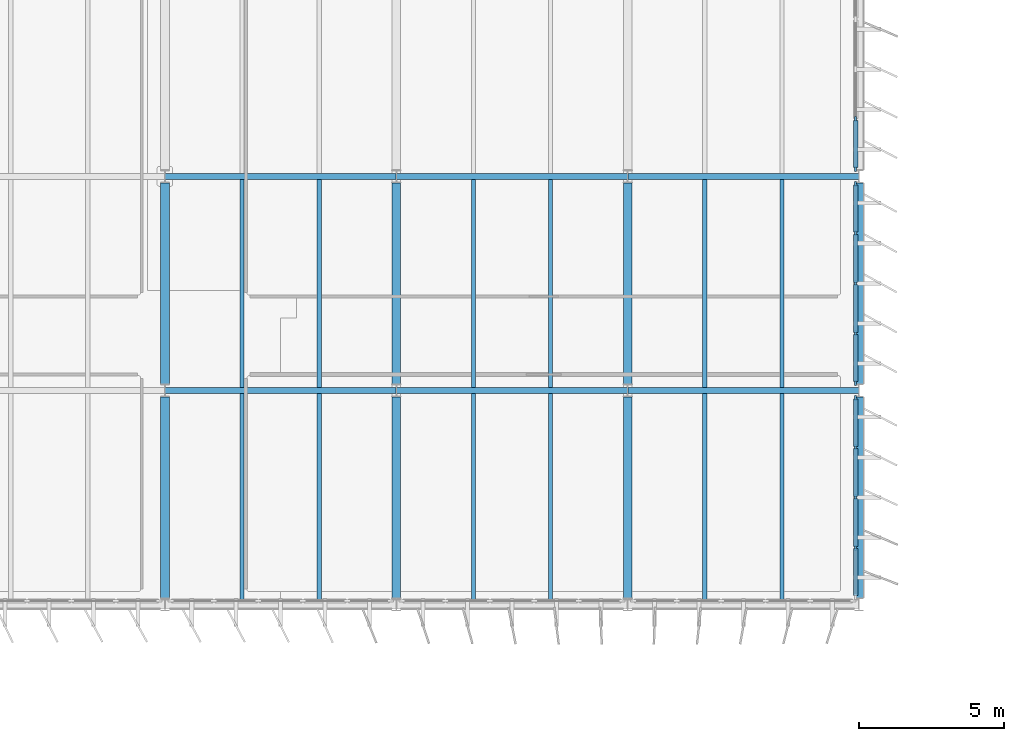
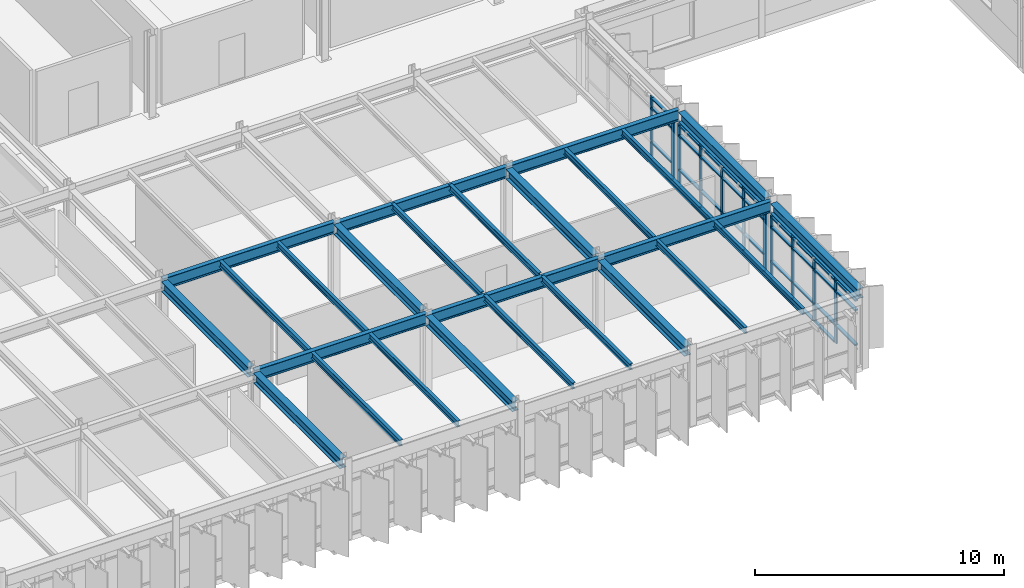
# One storey, part 22 of 56: 46 members, 26 beams, 3 elements without a shape of their own.
"""IFC4 building model written with IfcOpenShell, lengths in metres."""

from ifc_helpers import new_model, si_unit, direction, frame, origin, origin_2d, place, context, subcontext, project, spatial, rectangle, i_section, extrude, material, layer, layer_set, material_profile, profile_set, type_object, element, aggregate, save


model = new_model("IFC4")

# Units and contexts
model_context = context("Model", 3, precision=1e-05, world=origin(), true_north=direction((0.0, 1.0)))
body_context = subcontext(model_context, "Body", "Model", "MODEL_VIEW")
ifc_project = project(units=[si_unit("LENGTHUNIT", "METRE"), si_unit("AREAUNIT", "SQUARE_METRE"), si_unit("VOLUMEUNIT", "CUBIC_METRE"), si_unit("PLANEANGLEUNIT", "RADIAN"), si_unit("MASSUNIT", "GRAM", prefix="KILO")], contexts=[model_context])

# Site, building, storey
site_placement = place(None, origin())
site = spatial("IfcSite", under=ifc_project, at=site_placement, CompositionType="ELEMENT")
building_placement = place(site_placement, origin())
building = spatial("IfcBuilding", under=site, at=building_placement, Name="Valkorina Park Police Headquarters", CompositionType="ELEMENT")
storey_placement = place(building_placement, frame((0.0, 0.0, 14.10009765625)))
storey = spatial("IfcBuildingStorey", under=building, at=storey_placement, Name="L04", CompositionType="ELEMENT", Elevation=14.10009765625)

# Beams
ifc_material_1 = material(Name="Steel S355", Category="steel")
ifc_material_profile_1 = material_profile(ifc_material_1, i_section(OverallWidth=0.300048828125, OverallDepth=0.489990234375, WebThickness=0.011962890625, FlangeThickness=0.02294921875, FilletRadius=0.027099609375, at=origin_2d()), Name="HEA 500")
ifc_profile_set_1 = profile_set([ifc_material_profile_1], Name="Steel S355")
beam_type_1 = type_object("IfcBeamType", Name="BM-S355-HEA500-BM", PredefinedType="BEAM", material=ifc_profile_set_1)
for number, where, z_axis, x_axis, name in (
    (1, (96.800048828125, 37.22509765625, 3.510009765625), (0.0, 1.0, 0.0), (-1.0, 0.0, 0.0), "L04 Framing Beam 2362"),
    (2, (96.800048828125, 44.625, 3.510009765625), (0.0, 1.0, 0.0), (-1.0, 0.0, 0.0), "L04 Framing Beam 2365"),
    (3, (104.800048828125, 37.22509765625, 3.510009765625), (0.0, 1.0, 0.0), (-1.0, 0.0, 0.0), "L04 Framing Beam 2374"),
    (4, (104.800048828125, 44.625, 3.510009765625), (0.0, 1.0, 0.0), (-1.0, 0.0, 0.0), "L04 Framing Beam 2377"),
    (5, (112.800048828125, 37.22509765625, 3.4248046875), (0.0, 1.0, 0.0), (-1.0, 0.0, 0.0), "L04 Framing Beam 2383"),
    (6, (112.800048828125, 44.625, 3.4248046875), (0.0, 1.0, 0.0), (-1.0, 0.0, 0.0), "L04 Framing Beam 2386"),
):
    element("IfcBeam", number, at=place(storey_placement, frame(where, z_axis=z_axis, x_axis=x_axis)), inside=storey, type_object=beam_type_1, Name=name, PredefinedType="BEAM", context=body_context, shape_type="SweptSolid", body=[
        extrude(i_section(OverallWidth=0.300048828125, OverallDepth=0.489990234375, WebThickness=0.011962890625, FlangeThickness=0.02294921875, FilletRadius=0.027099609375, at=origin_2d()), origin(), (0.0, 0.0, 1.0), 6.949951171875),
    ])
ifc_material_profile_2 = material_profile(ifc_material_1, i_section(OverallWidth=0.300048828125, OverallDepth=0.489990234375, WebThickness=0.011962890625, FlangeThickness=0.02294921875, FilletRadius=0.027099609375, at=origin_2d()), Name="HEA 500")
ifc_profile_set_2 = profile_set([ifc_material_profile_2], Name="Steel S355")
beam_type_2 = type_object("IfcBeamType", Name="BM-S355-HEA500-SPN", PredefinedType="SPANDREL", material=ifc_profile_set_2)
for number, where, z_axis, x_axis, name in (
    (7, (120.800048828125, 37.22509765625, 3.4248046875), (0.0, 1.0, 0.0), (-1.0, 0.0, 0.0), "L04 Framing Beam 2392"),
    (8, (120.800048828125, 44.625, 3.4248046875), (0.0, 1.0, 0.0), (-1.0, 0.0, 0.0), "L04 Framing Beam 2393"),
):
    element("IfcBeam", number, at=place(storey_placement, frame(where, z_axis=z_axis, x_axis=x_axis)), inside=storey, type_object=beam_type_2, Name=name, PredefinedType="SPANDREL", context=body_context, shape_type="SweptSolid", body=[
        extrude(i_section(OverallWidth=0.300048828125, OverallDepth=0.489990234375, WebThickness=0.011962890625, FlangeThickness=0.02294921875, FilletRadius=0.027099609375, at=origin_2d()), origin(), (0.0, 0.0, 1.0), 6.949951171875),
    ])
ifc_material_profile_3 = material_profile(ifc_material_1, i_section(OverallWidth=0.14990234375, OverallDepth=0.300048828125, WebThickness=0.007080078125, FlangeThickness=0.0107421875, FilletRadius=0.014892578125, at=origin_2d()), Name="IPE 300")
ifc_profile_set_3 = profile_set([ifc_material_profile_3], Name="Steel S355")
beam_type_3 = type_object("IfcBeamType", Name="BM-S355-IPE300-JST", PredefinedType="JOIST", material=ifc_profile_set_3)
for number, where, z_axis, x_axis, name in (
    (9, (99.466796875, 37.14990234375, 3.60498046875), (0.0, 1.0, 0.0), (-1.0, 0.0, 0.0), "L04 Framing Beam 2363"),
    (10, (102.13330078125, 37.14990234375, 3.60498046875), (0.0, 1.0, 0.0), (-1.0, 0.0, 0.0), "L04 Framing Beam 2364"),
):
    element("IfcBeam", number, at=place(storey_placement, frame(where, z_axis=z_axis, x_axis=x_axis)), inside=storey, type_object=beam_type_3, Name=name, PredefinedType="JOIST", context=body_context, shape_type="SweptSolid", body=[
        extrude(i_section(OverallWidth=0.14990234375, OverallDepth=0.300048828125, WebThickness=0.007080078125, FlangeThickness=0.0107421875, FilletRadius=0.014892578125, at=origin_2d()), origin(), (0.0, 0.0, 1.0), 7.14501953125),
    ])
for number, where, z_axis, x_axis, name in (
    (11, (99.466796875, 44.5048828125, 3.60498046875), (0.0, 1.0, 0.0), (-1.0, 0.0, 0.0), "L04 Framing Beam 2366"),
    (12, (102.13330078125, 44.5048828125, 3.60498046875), (0.0, 1.0, 0.0), (-1.0, 0.0, 0.0), "L04 Framing Beam 2367"),
):
    element("IfcBeam", number, at=place(storey_placement, frame(where, z_axis=z_axis, x_axis=x_axis)), inside=storey, type_object=beam_type_3, Name=name, PredefinedType="JOIST", context=body_context, shape_type="SweptSolid", body=[
        extrude(i_section(OverallWidth=0.14990234375, OverallDepth=0.300048828125, WebThickness=0.007080078125, FlangeThickness=0.0107421875, FilletRadius=0.014892578125, at=origin_2d()), origin(), (0.0, 0.0, 1.0), 7.190185546875),
    ])
for number, where, z_axis, x_axis, name in (
    (13, (107.466796875, 37.14990234375, 3.60498046875), (0.0, 1.0, 0.0), (-1.0, 0.0, 0.0), "L04 Framing Beam 2375"),
    (14, (110.13330078125, 37.14990234375, 3.60498046875), (0.0, 1.0, 0.0), (-1.0, 0.0, 0.0), "L04 Framing Beam 2376"),
):
    element("IfcBeam", number, at=place(storey_placement, frame(where, z_axis=z_axis, x_axis=x_axis)), inside=storey, type_object=beam_type_3, Name=name, PredefinedType="JOIST", context=body_context, shape_type="SweptSolid", body=[
        extrude(i_section(OverallWidth=0.14990234375, OverallDepth=0.300048828125, WebThickness=0.007080078125, FlangeThickness=0.0107421875, FilletRadius=0.014892578125, at=origin_2d()), origin(), (0.0, 0.0, 1.0), 7.14501953125),
    ])
for number, where, z_axis, x_axis, name in (
    (15, (107.466796875, 44.5048828125, 3.60498046875), (0.0, 1.0, 0.0), (-1.0, 0.0, 0.0), "L04 Framing Beam 2378"),
    (16, (110.13330078125, 44.5048828125, 3.60498046875), (0.0, 1.0, 0.0), (-1.0, 0.0, 0.0), "L04 Framing Beam 2379"),
):
    element("IfcBeam", number, at=place(storey_placement, frame(where, z_axis=z_axis, x_axis=x_axis)), inside=storey, type_object=beam_type_3, Name=name, PredefinedType="JOIST", context=body_context, shape_type="SweptSolid", body=[
        extrude(i_section(OverallWidth=0.14990234375, OverallDepth=0.300048828125, WebThickness=0.007080078125, FlangeThickness=0.0107421875, FilletRadius=0.014892578125, at=origin_2d()), origin(), (0.0, 0.0, 1.0), 7.190185546875),
    ])
for number, where, z_axis, x_axis, name in (
    (17, (115.466796875, 37.14990234375, 3.52001953125), (0.0, 1.0, 0.0), (-1.0, 0.0, 0.0), "L04 Framing Beam 2384"),
    (18, (118.13330078125, 37.14990234375, 3.52001953125), (0.0, 1.0, 0.0), (-1.0, 0.0, 0.0), "L04 Framing Beam 2385"),
):
    element("IfcBeam", number, at=place(storey_placement, frame(where, z_axis=z_axis, x_axis=x_axis)), inside=storey, type_object=beam_type_3, Name=name, PredefinedType="JOIST", context=body_context, shape_type="SweptSolid", body=[
        extrude(i_section(OverallWidth=0.14990234375, OverallDepth=0.300048828125, WebThickness=0.007080078125, FlangeThickness=0.0107421875, FilletRadius=0.014892578125, at=origin_2d()), origin(), (0.0, 0.0, 1.0), 7.14501953125),
    ])
for number, where, z_axis, x_axis, name in (
    (19, (115.466796875, 44.5048828125, 3.52001953125), (0.0, 1.0, 0.0), (-1.0, 0.0, 0.0), "L04 Framing Beam 2387"),
    (20, (118.13330078125, 44.5048828125, 3.52001953125), (0.0, 1.0, 0.0), (-1.0, 0.0, 0.0), "L04 Framing Beam 2388"),
):
    element("IfcBeam", number, at=place(storey_placement, frame(where, z_axis=z_axis, x_axis=x_axis)), inside=storey, type_object=beam_type_3, Name=name, PredefinedType="JOIST", context=body_context, shape_type="SweptSolid", body=[
        extrude(i_section(OverallWidth=0.14990234375, OverallDepth=0.300048828125, WebThickness=0.007080078125, FlangeThickness=0.0107421875, FilletRadius=0.014892578125, at=origin_2d()), origin(), (0.0, 0.0, 1.0), 7.190185546875),
    ])
ifc_material_profile_4 = material_profile(ifc_material_1, i_section(OverallWidth=0.2099609375, OverallDepth=0.550048828125, WebThickness=0.010986328125, FlangeThickness=0.01708984375, FilletRadius=0.02392578125, at=origin_2d()), Name="IPE 550")
ifc_profile_set_4 = profile_set([ifc_material_profile_4], Name="Steel S355")
beam_type_4 = type_object("IfcBeamType", Name="BM-S355-IPE550-BM", PredefinedType="BEAM", material=ifc_profile_set_4)
for number, where, z_axis, x_axis, name in (
    (21, (96.806884765625, 44.39990234375, 3.47998046875), (1.0, 0.0, 0.0), (0.0, 1.0, 0.0), "L04 Framing Beam 2235"),
    (22, (104.806884765625, 44.39990234375, 3.39501953125), (1.0, 0.0, 0.0), (0.0, 1.0, 0.0), "L04 Framing Beam 2236"),
    (23, (112.806884765625, 44.39990234375, 3.39501953125), (1.0, 0.0, 0.0), (0.0, 1.0, 0.0), "L04 Framing Beam 2237"),
    (24, (96.806884765625, 51.800048828125, 3.47998046875), (1.0, 0.0, 0.0), (0.0, 1.0, 0.0), "L04 Framing Beam 2243"),
    (25, (104.806884765625, 51.800048828125, 3.39501953125), (1.0, 0.0, 0.0), (0.0, 1.0, 0.0), "L04 Framing Beam 2244"),
    (26, (112.806884765625, 51.800048828125, 3.39501953125), (1.0, 0.0, 0.0), (0.0, 1.0, 0.0), "L04 Framing Beam 2245"),
):
    element("IfcBeam", number, at=place(storey_placement, frame(where, z_axis=z_axis, x_axis=x_axis)), inside=storey, type_object=beam_type_4, Name=name, PredefinedType="BEAM", context=body_context, shape_type="SweptSolid", body=[
        extrude(i_section(OverallWidth=0.2099609375, OverallDepth=0.550048828125, WebThickness=0.010986328125, FlangeThickness=0.01708984375, FilletRadius=0.02392578125, at=origin_2d()), origin(), (0.0, 0.0, 1.0), 7.986083984375),
    ])

# Curtain wall, members
ifc_material_2 = material(Name="Thermally broken aluminium AW-6060", Category="aluminium")
ifc_layer = layer(ifc_material_2, 0.18994140625)
ifc_layer_set = layer_set([ifc_layer], Name="Thermally broken aluminium AW-6060")
curtain_wall_type = type_object("IfcCurtainWallType", Name="CW-V5-6930x3110", PredefinedType="NOTDEFINED", material=ifc_layer_set)
curtain_wall_1_placement = place(storey_placement, origin())
curtain_wall_1 = element("IfcCurtainWall", 27, at=curtain_wall_1_placement, inside=storey, type_object=curtain_wall_type, Name="L04 Unitised Curtain Wall 040", PredefinedType="NOTDEFINED")
ifc_material_profile_5 = material_profile(ifc_material_2, rectangle(XDim=0.070068359375, YDim=0.18994140625, at=origin_2d()), Name="CWM-02 70x190")
ifc_profile_set_5 = profile_set([ifc_material_profile_5], Name="Thermally broken aluminium AW-6060")
member_type_1 = type_object("IfcMemberType", Name="CWM-70x190", PredefinedType="MULLION", material=ifc_profile_set_5)
member_1_placement = place(storey_placement, frame((120.679931640625, 53.767578125, 0.0), z_axis=(0.0, 0.0, 1.0), x_axis=(1.0, 0.0, 0.0)))
member_1 = element("IfcMember", 28, at=member_1_placement, type_object=member_type_1, Name="CW-V5-693-311 mullion 4", PredefinedType="MULLION", context=body_context, shape_type="SweptSolid", body=[
    extrude(rectangle(XDim=0.070068359375, YDim=0.18994140625, at=origin_2d()), origin(), (0.0, 0.0, 1.0), 3.10986328125),
])
member_2_placement = place(storey_placement, frame((120.679931640625, 52.070068359375, 0.0), z_axis=(0.0, 0.0, 1.0), x_axis=(1.0, 0.0, 0.0)))
member_2 = element("IfcMember", 29, at=member_2_placement, type_object=member_type_1, Name="CW-V5-693-311 mullion 5", PredefinedType="MULLION", context=body_context, shape_type="SweptSolid", body=[
    extrude(rectangle(XDim=0.070068359375, YDim=0.18994140625, at=origin_2d()), origin(), (0.0, 0.0, 1.0), 3.10986328125),
])

curtain_wall_2_placement = place(storey_placement, origin())
curtain_wall_2 = element("IfcCurtainWall", 30, at=curtain_wall_2_placement, inside=storey, type_object=curtain_wall_type, Name="L04 Unitised Curtain Wall 041", PredefinedType="NOTDEFINED")
member_3_placement = place(storey_placement, frame((120.679931640625, 51.530029296875, 0.0), z_axis=(0.0, 0.0, 1.0), x_axis=(1.0, 0.0, 0.0)))
member_3 = element("IfcMember", 31, at=member_3_placement, type_object=member_type_1, Name="CW-V5-693-311 mullion 1", PredefinedType="MULLION", context=body_context, shape_type="SweptSolid", body=[
    extrude(rectangle(XDim=0.070068359375, YDim=0.18994140625, at=origin_2d()), origin(), (0.0, 0.0, 1.0), 3.10986328125),
])
member_4_placement = place(storey_placement, frame((120.679931640625, 49.83251953125, 0.0), z_axis=(0.0, 0.0, 1.0), x_axis=(1.0, 0.0, 0.0)))
member_4 = element("IfcMember", 32, at=member_4_placement, type_object=member_type_1, Name="CW-V5-693-311 mullion 2", PredefinedType="MULLION", context=body_context, shape_type="SweptSolid", body=[
    extrude(rectangle(XDim=0.070068359375, YDim=0.18994140625, at=origin_2d()), origin(), (0.0, 0.0, 1.0), 3.10986328125),
])
member_5_placement = place(storey_placement, frame((120.679931640625, 48.10009765625, 0.0), z_axis=(0.0, 0.0, 1.0), x_axis=(1.0, 0.0, 0.0)))
member_5 = element("IfcMember", 33, at=member_5_placement, type_object=member_type_1, Name="CW-V5-693-311 mullion 3", PredefinedType="MULLION", context=body_context, shape_type="SweptSolid", body=[
    extrude(rectangle(XDim=0.070068359375, YDim=0.18994140625, at=origin_2d()), origin(), (0.0, 0.0, 1.0), 3.10986328125),
])
member_6_placement = place(storey_placement, frame((120.679931640625, 46.367431640625, 0.0), z_axis=(0.0, 0.0, 1.0), x_axis=(1.0, 0.0, 0.0)))
member_6 = element("IfcMember", 34, at=member_6_placement, type_object=member_type_1, Name="CW-V5-693-311 mullion 4", PredefinedType="MULLION", context=body_context, shape_type="SweptSolid", body=[
    extrude(rectangle(XDim=0.070068359375, YDim=0.18994140625, at=origin_2d()), origin(), (0.0, 0.0, 1.0), 3.10986328125),
])
member_7_placement = place(storey_placement, frame((120.679931640625, 44.669921875, 0.0), z_axis=(0.0, 0.0, 1.0), x_axis=(1.0, 0.0, 0.0)))
member_7 = element("IfcMember", 35, at=member_7_placement, type_object=member_type_1, Name="CW-V5-693-311 mullion 5", PredefinedType="MULLION", context=body_context, shape_type="SweptSolid", body=[
    extrude(rectangle(XDim=0.070068359375, YDim=0.18994140625, at=origin_2d()), origin(), (0.0, 0.0, 1.0), 3.10986328125),
])

curtain_wall_3_placement = place(storey_placement, origin())
curtain_wall_3 = element("IfcCurtainWall", 36, at=curtain_wall_3_placement, inside=storey, type_object=curtain_wall_type, Name="L04 Unitised Curtain Wall 042", PredefinedType="NOTDEFINED")
member_8_placement = place(storey_placement, frame((120.679931640625, 44.1298828125, 0.0), z_axis=(0.0, 0.0, 1.0), x_axis=(1.0, 0.0, 0.0)))
member_8 = element("IfcMember", 37, at=member_8_placement, type_object=member_type_1, Name="CW-V5-693-311 mullion 1", PredefinedType="MULLION", context=body_context, shape_type="SweptSolid", body=[
    extrude(rectangle(XDim=0.070068359375, YDim=0.18994140625, at=origin_2d()), origin(), (0.0, 0.0, 1.0), 3.10986328125),
])
member_9_placement = place(storey_placement, frame((120.679931640625, 42.4326171875, 0.0), z_axis=(0.0, 0.0, 1.0), x_axis=(1.0, 0.0, 0.0)))
member_9 = element("IfcMember", 38, at=member_9_placement, type_object=member_type_1, Name="CW-V5-693-311 mullion 2", PredefinedType="MULLION", context=body_context, shape_type="SweptSolid", body=[
    extrude(rectangle(XDim=0.070068359375, YDim=0.18994140625, at=origin_2d()), origin(), (0.0, 0.0, 1.0), 3.10986328125),
])
member_10_placement = place(storey_placement, frame((120.679931640625, 40.699951171875, 0.0), z_axis=(0.0, 0.0, 1.0), x_axis=(1.0, 0.0, 0.0)))
member_10 = element("IfcMember", 39, at=member_10_placement, type_object=member_type_1, Name="CW-V5-693-311 mullion 3", PredefinedType="MULLION", context=body_context, shape_type="SweptSolid", body=[
    extrude(rectangle(XDim=0.070068359375, YDim=0.18994140625, at=origin_2d()), origin(), (0.0, 0.0, 1.0), 3.10986328125),
])
member_11_placement = place(storey_placement, frame((120.679931640625, 38.967529296875, 0.0), z_axis=(0.0, 0.0, 1.0), x_axis=(1.0, 0.0, 0.0)))
member_11 = element("IfcMember", 40, at=member_11_placement, type_object=member_type_1, Name="CW-V5-693-311 mullion 4", PredefinedType="MULLION", context=body_context, shape_type="SweptSolid", body=[
    extrude(rectangle(XDim=0.070068359375, YDim=0.18994140625, at=origin_2d()), origin(), (0.0, 0.0, 1.0), 3.10986328125),
])

# Member
ifc_material_profile_6 = material_profile(ifc_material_2, rectangle(XDim=0.14990234375, YDim=0.070068359375, at=origin_2d()), Name="CWT-02 150x70")
ifc_profile_set_6 = profile_set([ifc_material_profile_6], Name="Thermally broken aluminium AW-6060")
member_type_2 = type_object("IfcMemberType", Name="CWT-150x70", PredefinedType="USERDEFINED", material=ifc_profile_set_6)
member_12_placement = place(storey_placement, frame((120.679931640625, 53.732421875, 0.034912109375), z_axis=(0.0, -1.0, 0.0), x_axis=(1.0, 0.0, 0.0)))
member_12 = element("IfcMember", 41, at=member_12_placement, type_object=member_type_2, Name="CW-V5-693-311 transom 4.1", ObjectType="TRANSOM", PredefinedType="USERDEFINED", context=body_context, shape_type="SweptSolid", body=[
    extrude(rectangle(XDim=0.14990234375, YDim=0.070068359375, at=origin_2d()), origin(), (0.0, 0.0, 1.0), 1.62744140625),
])

member_13_placement = place(storey_placement, frame((120.679931640625, 53.732421875, 0.89990234375), z_axis=(0.0, -1.0, 0.0), x_axis=(1.0, 0.0, 0.0)))
member_13 = element("IfcMember", 42, at=member_13_placement, type_object=member_type_2, Name="CW-V5-693-311 transom 4.2", ObjectType="TRANSOM", PredefinedType="USERDEFINED", context=body_context, shape_type="SweptSolid", body=[
    extrude(rectangle(XDim=0.14990234375, YDim=0.070068359375, at=origin_2d()), origin(), (0.0, 0.0, 1.0), 1.62744140625),
])

member_14_placement = place(storey_placement, frame((120.679931640625, 53.732421875, 2.58984375), z_axis=(0.0, -1.0, 0.0), x_axis=(1.0, 0.0, 0.0)))
member_14 = element("IfcMember", 43, at=member_14_placement, type_object=member_type_2, Name="CW-V5-693-311 transom 4.3", ObjectType="TRANSOM", PredefinedType="USERDEFINED", context=body_context, shape_type="SweptSolid", body=[
    extrude(rectangle(XDim=0.14990234375, YDim=0.070068359375, at=origin_2d()), origin(), (0.0, 0.0, 1.0), 1.62744140625),
])

member_15_placement = place(storey_placement, frame((120.679931640625, 53.732421875, 3.074951171875), z_axis=(0.0, -1.0, 0.0), x_axis=(1.0, 0.0, 0.0)))
member_15 = element("IfcMember", 44, at=member_15_placement, type_object=member_type_2, Name="CW-V5-693-311 transom 4.4", ObjectType="TRANSOM", PredefinedType="USERDEFINED", context=body_context, shape_type="SweptSolid", body=[
    extrude(rectangle(XDim=0.14990234375, YDim=0.070068359375, at=origin_2d()), origin(), (0.0, 0.0, 1.0), 1.62744140625),
])

aggregate(curtain_wall_1, [member_1, member_2, member_12, member_13, member_14, member_15])

member_16_placement = place(storey_placement, frame((120.679931640625, 51.4951171875, 0.034912109375), z_axis=(0.0, -1.0, 0.0), x_axis=(1.0, 0.0, 0.0)))
member_16 = element("IfcMember", 45, at=member_16_placement, type_object=member_type_2, Name="CW-V5-693-311 transom 1.1", ObjectType="TRANSOM", PredefinedType="USERDEFINED", context=body_context, shape_type="SweptSolid", body=[
    extrude(rectangle(XDim=0.14990234375, YDim=0.070068359375, at=origin_2d()), origin(), (0.0, 0.0, 1.0), 1.627685546875),
])

member_17_placement = place(storey_placement, frame((120.679931640625, 51.4951171875, 0.89990234375), z_axis=(0.0, -1.0, 0.0), x_axis=(1.0, 0.0, 0.0)))
member_17 = element("IfcMember", 46, at=member_17_placement, type_object=member_type_2, Name="CW-V5-693-311 transom 1.2", ObjectType="TRANSOM", PredefinedType="USERDEFINED", context=body_context, shape_type="SweptSolid", body=[
    extrude(rectangle(XDim=0.14990234375, YDim=0.070068359375, at=origin_2d()), origin(), (0.0, 0.0, 1.0), 1.627685546875),
])

member_18_placement = place(storey_placement, frame((120.679931640625, 51.4951171875, 2.58984375), z_axis=(0.0, -1.0, 0.0), x_axis=(1.0, 0.0, 0.0)))
member_18 = element("IfcMember", 47, at=member_18_placement, type_object=member_type_2, Name="CW-V5-693-311 transom 1.3", ObjectType="TRANSOM", PredefinedType="USERDEFINED", context=body_context, shape_type="SweptSolid", body=[
    extrude(rectangle(XDim=0.14990234375, YDim=0.070068359375, at=origin_2d()), origin(), (0.0, 0.0, 1.0), 1.627685546875),
])

member_19_placement = place(storey_placement, frame((120.679931640625, 51.4951171875, 3.074951171875), z_axis=(0.0, -1.0, 0.0), x_axis=(1.0, 0.0, 0.0)))
member_19 = element("IfcMember", 48, at=member_19_placement, type_object=member_type_2, Name="CW-V5-693-311 transom 1.4", ObjectType="TRANSOM", PredefinedType="USERDEFINED", context=body_context, shape_type="SweptSolid", body=[
    extrude(rectangle(XDim=0.14990234375, YDim=0.070068359375, at=origin_2d()), origin(), (0.0, 0.0, 1.0), 1.627685546875),
])

member_20_placement = place(storey_placement, frame((120.679931640625, 49.797607421875, 0.034912109375), z_axis=(0.0, -1.0, 0.0), x_axis=(1.0, 0.0, 0.0)))
member_20 = element("IfcMember", 49, at=member_20_placement, type_object=member_type_2, Name="CW-V5-693-311 transom 2.1", ObjectType="TRANSOM", PredefinedType="USERDEFINED", context=body_context, shape_type="SweptSolid", body=[
    extrude(rectangle(XDim=0.14990234375, YDim=0.070068359375, at=origin_2d()), origin(), (0.0, 0.0, 1.0), 1.66259765625),
])

member_21_placement = place(storey_placement, frame((120.679931640625, 49.797607421875, 0.89990234375), z_axis=(0.0, -1.0, 0.0), x_axis=(1.0, 0.0, 0.0)))
member_21 = element("IfcMember", 50, at=member_21_placement, type_object=member_type_2, Name="CW-V5-693-311 transom 2.2", ObjectType="TRANSOM", PredefinedType="USERDEFINED", context=body_context, shape_type="SweptSolid", body=[
    extrude(rectangle(XDim=0.14990234375, YDim=0.070068359375, at=origin_2d()), origin(), (0.0, 0.0, 1.0), 1.66259765625),
])

member_22_placement = place(storey_placement, frame((120.679931640625, 49.797607421875, 2.58984375), z_axis=(0.0, -1.0, 0.0), x_axis=(1.0, 0.0, 0.0)))
member_22 = element("IfcMember", 51, at=member_22_placement, type_object=member_type_2, Name="CW-V5-693-311 transom 2.3", ObjectType="TRANSOM", PredefinedType="USERDEFINED", context=body_context, shape_type="SweptSolid", body=[
    extrude(rectangle(XDim=0.14990234375, YDim=0.070068359375, at=origin_2d()), origin(), (0.0, 0.0, 1.0), 1.66259765625),
])

member_23_placement = place(storey_placement, frame((120.679931640625, 49.797607421875, 3.074951171875), z_axis=(0.0, -1.0, 0.0), x_axis=(1.0, 0.0, 0.0)))
member_23 = element("IfcMember", 52, at=member_23_placement, type_object=member_type_2, Name="CW-V5-693-311 transom 2.4", ObjectType="TRANSOM", PredefinedType="USERDEFINED", context=body_context, shape_type="SweptSolid", body=[
    extrude(rectangle(XDim=0.14990234375, YDim=0.070068359375, at=origin_2d()), origin(), (0.0, 0.0, 1.0), 1.66259765625),
])

member_24_placement = place(storey_placement, frame((120.679931640625, 48.06494140625, 0.034912109375), z_axis=(0.0, -1.0, 0.0), x_axis=(1.0, 0.0, 0.0)))
member_24 = element("IfcMember", 53, at=member_24_placement, type_object=member_type_2, Name="CW-V5-693-311 transom 3.1", ObjectType="TRANSOM", PredefinedType="USERDEFINED", context=body_context, shape_type="SweptSolid", body=[
    extrude(rectangle(XDim=0.14990234375, YDim=0.070068359375, at=origin_2d()), origin(), (0.0, 0.0, 1.0), 1.662353515625),
])

member_25_placement = place(storey_placement, frame((120.679931640625, 48.06494140625, 0.89990234375), z_axis=(0.0, -1.0, 0.0), x_axis=(1.0, 0.0, 0.0)))
member_25 = element("IfcMember", 54, at=member_25_placement, type_object=member_type_2, Name="CW-V5-693-311 transom 3.2", ObjectType="TRANSOM", PredefinedType="USERDEFINED", context=body_context, shape_type="SweptSolid", body=[
    extrude(rectangle(XDim=0.14990234375, YDim=0.070068359375, at=origin_2d()), origin(), (0.0, 0.0, 1.0), 1.662353515625),
])

member_26_placement = place(storey_placement, frame((120.679931640625, 48.06494140625, 2.58984375), z_axis=(0.0, -1.0, 0.0), x_axis=(1.0, 0.0, 0.0)))
member_26 = element("IfcMember", 55, at=member_26_placement, type_object=member_type_2, Name="CW-V5-693-311 transom 3.3", ObjectType="TRANSOM", PredefinedType="USERDEFINED", context=body_context, shape_type="SweptSolid", body=[
    extrude(rectangle(XDim=0.14990234375, YDim=0.070068359375, at=origin_2d()), origin(), (0.0, 0.0, 1.0), 1.662353515625),
])

member_27_placement = place(storey_placement, frame((120.679931640625, 48.06494140625, 3.074951171875), z_axis=(0.0, -1.0, 0.0), x_axis=(1.0, 0.0, 0.0)))
member_27 = element("IfcMember", 56, at=member_27_placement, type_object=member_type_2, Name="CW-V5-693-311 transom 3.4", ObjectType="TRANSOM", PredefinedType="USERDEFINED", context=body_context, shape_type="SweptSolid", body=[
    extrude(rectangle(XDim=0.14990234375, YDim=0.070068359375, at=origin_2d()), origin(), (0.0, 0.0, 1.0), 1.662353515625),
])

member_28_placement = place(storey_placement, frame((120.679931640625, 46.33251953125, 0.034912109375), z_axis=(0.0, -1.0, 0.0), x_axis=(1.0, 0.0, 0.0)))
member_28 = element("IfcMember", 57, at=member_28_placement, type_object=member_type_2, Name="CW-V5-693-311 transom 4.1", ObjectType="TRANSOM", PredefinedType="USERDEFINED", context=body_context, shape_type="SweptSolid", body=[
    extrude(rectangle(XDim=0.14990234375, YDim=0.070068359375, at=origin_2d()), origin(), (0.0, 0.0, 1.0), 1.62744140625),
])

member_29_placement = place(storey_placement, frame((120.679931640625, 46.33251953125, 0.89990234375), z_axis=(0.0, -1.0, 0.0), x_axis=(1.0, 0.0, 0.0)))
member_29 = element("IfcMember", 58, at=member_29_placement, type_object=member_type_2, Name="CW-V5-693-311 transom 4.2", ObjectType="TRANSOM", PredefinedType="USERDEFINED", context=body_context, shape_type="SweptSolid", body=[
    extrude(rectangle(XDim=0.14990234375, YDim=0.070068359375, at=origin_2d()), origin(), (0.0, 0.0, 1.0), 1.62744140625),
])

member_30_placement = place(storey_placement, frame((120.679931640625, 46.33251953125, 2.58984375), z_axis=(0.0, -1.0, 0.0), x_axis=(1.0, 0.0, 0.0)))
member_30 = element("IfcMember", 59, at=member_30_placement, type_object=member_type_2, Name="CW-V5-693-311 transom 4.3", ObjectType="TRANSOM", PredefinedType="USERDEFINED", context=body_context, shape_type="SweptSolid", body=[
    extrude(rectangle(XDim=0.14990234375, YDim=0.070068359375, at=origin_2d()), origin(), (0.0, 0.0, 1.0), 1.62744140625),
])

member_31_placement = place(storey_placement, frame((120.679931640625, 46.33251953125, 3.074951171875), z_axis=(0.0, -1.0, 0.0), x_axis=(1.0, 0.0, 0.0)))
member_31 = element("IfcMember", 60, at=member_31_placement, type_object=member_type_2, Name="CW-V5-693-311 transom 4.4", ObjectType="TRANSOM", PredefinedType="USERDEFINED", context=body_context, shape_type="SweptSolid", body=[
    extrude(rectangle(XDim=0.14990234375, YDim=0.070068359375, at=origin_2d()), origin(), (0.0, 0.0, 1.0), 1.62744140625),
])

aggregate(curtain_wall_2, [member_3, member_4, member_5, member_6, member_7, member_16, member_17, member_18, member_19, member_20, member_21, member_22, member_23, member_24, member_25, member_26, member_27, member_28, member_29, member_30, member_31])

member_32_placement = place(storey_placement, frame((120.679931640625, 44.094970703125, 0.034912109375), z_axis=(0.0, -1.0, 0.0), x_axis=(1.0, 0.0, 0.0)))
member_32 = element("IfcMember", 61, at=member_32_placement, type_object=member_type_2, Name="CW-V5-693-311 transom 1.1", ObjectType="TRANSOM", PredefinedType="USERDEFINED", context=body_context, shape_type="SweptSolid", body=[
    extrude(rectangle(XDim=0.14990234375, YDim=0.070068359375, at=origin_2d()), origin(), (0.0, 0.0, 1.0), 1.62744140625),
])

member_33_placement = place(storey_placement, frame((120.679931640625, 44.094970703125, 0.89990234375), z_axis=(0.0, -1.0, 0.0), x_axis=(1.0, 0.0, 0.0)))
member_33 = element("IfcMember", 62, at=member_33_placement, type_object=member_type_2, Name="CW-V5-693-311 transom 1.2", ObjectType="TRANSOM", PredefinedType="USERDEFINED", context=body_context, shape_type="SweptSolid", body=[
    extrude(rectangle(XDim=0.14990234375, YDim=0.070068359375, at=origin_2d()), origin(), (0.0, 0.0, 1.0), 1.62744140625),
])

member_34_placement = place(storey_placement, frame((120.679931640625, 44.094970703125, 2.58984375), z_axis=(0.0, -1.0, 0.0), x_axis=(1.0, 0.0, 0.0)))
member_34 = element("IfcMember", 63, at=member_34_placement, type_object=member_type_2, Name="CW-V5-693-311 transom 1.3", ObjectType="TRANSOM", PredefinedType="USERDEFINED", context=body_context, shape_type="SweptSolid", body=[
    extrude(rectangle(XDim=0.14990234375, YDim=0.070068359375, at=origin_2d()), origin(), (0.0, 0.0, 1.0), 1.62744140625),
])

member_35_placement = place(storey_placement, frame((120.679931640625, 44.094970703125, 3.074951171875), z_axis=(0.0, -1.0, 0.0), x_axis=(1.0, 0.0, 0.0)))
member_35 = element("IfcMember", 64, at=member_35_placement, type_object=member_type_2, Name="CW-V5-693-311 transom 1.4", ObjectType="TRANSOM", PredefinedType="USERDEFINED", context=body_context, shape_type="SweptSolid", body=[
    extrude(rectangle(XDim=0.14990234375, YDim=0.070068359375, at=origin_2d()), origin(), (0.0, 0.0, 1.0), 1.62744140625),
])

member_36_placement = place(storey_placement, frame((120.679931640625, 42.3974609375, 0.034912109375), z_axis=(0.0, -1.0, 0.0), x_axis=(1.0, 0.0, 0.0)))
member_36 = element("IfcMember", 65, at=member_36_placement, type_object=member_type_2, Name="CW-V5-693-311 transom 2.1", ObjectType="TRANSOM", PredefinedType="USERDEFINED", context=body_context, shape_type="SweptSolid", body=[
    extrude(rectangle(XDim=0.14990234375, YDim=0.070068359375, at=origin_2d()), origin(), (0.0, 0.0, 1.0), 1.662353515625),
])

member_37_placement = place(storey_placement, frame((120.679931640625, 42.3974609375, 0.89990234375), z_axis=(0.0, -1.0, 0.0), x_axis=(1.0, 0.0, 0.0)))
member_37 = element("IfcMember", 66, at=member_37_placement, type_object=member_type_2, Name="CW-V5-693-311 transom 2.2", ObjectType="TRANSOM", PredefinedType="USERDEFINED", context=body_context, shape_type="SweptSolid", body=[
    extrude(rectangle(XDim=0.14990234375, YDim=0.070068359375, at=origin_2d()), origin(), (0.0, 0.0, 1.0), 1.662353515625),
])

member_38_placement = place(storey_placement, frame((120.679931640625, 42.3974609375, 2.58984375), z_axis=(0.0, -1.0, 0.0), x_axis=(1.0, 0.0, 0.0)))
member_38 = element("IfcMember", 67, at=member_38_placement, type_object=member_type_2, Name="CW-V5-693-311 transom 2.3", ObjectType="TRANSOM", PredefinedType="USERDEFINED", context=body_context, shape_type="SweptSolid", body=[
    extrude(rectangle(XDim=0.14990234375, YDim=0.070068359375, at=origin_2d()), origin(), (0.0, 0.0, 1.0), 1.662353515625),
])

member_39_placement = place(storey_placement, frame((120.679931640625, 42.3974609375, 3.074951171875), z_axis=(0.0, -1.0, 0.0), x_axis=(1.0, 0.0, 0.0)))
member_39 = element("IfcMember", 68, at=member_39_placement, type_object=member_type_2, Name="CW-V5-693-311 transom 2.4", ObjectType="TRANSOM", PredefinedType="USERDEFINED", context=body_context, shape_type="SweptSolid", body=[
    extrude(rectangle(XDim=0.14990234375, YDim=0.070068359375, at=origin_2d()), origin(), (0.0, 0.0, 1.0), 1.662353515625),
])

member_40_placement = place(storey_placement, frame((120.679931640625, 40.6650390625, 0.034912109375), z_axis=(0.0, -1.0, 0.0), x_axis=(1.0, 0.0, 0.0)))
member_40 = element("IfcMember", 69, at=member_40_placement, type_object=member_type_2, Name="CW-V5-693-311 transom 3.1", ObjectType="TRANSOM", PredefinedType="USERDEFINED", context=body_context, shape_type="SweptSolid", body=[
    extrude(rectangle(XDim=0.14990234375, YDim=0.070068359375, at=origin_2d()), origin(), (0.0, 0.0, 1.0), 1.66259765625),
])

member_41_placement = place(storey_placement, frame((120.679931640625, 40.6650390625, 0.89990234375), z_axis=(0.0, -1.0, 0.0), x_axis=(1.0, 0.0, 0.0)))
member_41 = element("IfcMember", 70, at=member_41_placement, type_object=member_type_2, Name="CW-V5-693-311 transom 3.2", ObjectType="TRANSOM", PredefinedType="USERDEFINED", context=body_context, shape_type="SweptSolid", body=[
    extrude(rectangle(XDim=0.14990234375, YDim=0.070068359375, at=origin_2d()), origin(), (0.0, 0.0, 1.0), 1.66259765625),
])

member_42_placement = place(storey_placement, frame((120.679931640625, 40.6650390625, 2.58984375), z_axis=(0.0, -1.0, 0.0), x_axis=(1.0, 0.0, 0.0)))
member_42 = element("IfcMember", 71, at=member_42_placement, type_object=member_type_2, Name="CW-V5-693-311 transom 3.3", ObjectType="TRANSOM", PredefinedType="USERDEFINED", context=body_context, shape_type="SweptSolid", body=[
    extrude(rectangle(XDim=0.14990234375, YDim=0.070068359375, at=origin_2d()), origin(), (0.0, 0.0, 1.0), 1.66259765625),
])

member_43_placement = place(storey_placement, frame((120.679931640625, 40.6650390625, 3.074951171875), z_axis=(0.0, -1.0, 0.0), x_axis=(1.0, 0.0, 0.0)))
member_43 = element("IfcMember", 72, at=member_43_placement, type_object=member_type_2, Name="CW-V5-693-311 transom 3.4", ObjectType="TRANSOM", PredefinedType="USERDEFINED", context=body_context, shape_type="SweptSolid", body=[
    extrude(rectangle(XDim=0.14990234375, YDim=0.070068359375, at=origin_2d()), origin(), (0.0, 0.0, 1.0), 1.66259765625),
])

member_44_placement = place(storey_placement, frame((120.679931640625, 38.9326171875, 0.89990234375), z_axis=(0.0, -1.0, 0.0), x_axis=(1.0, 0.0, 0.0)))
member_44 = element("IfcMember", 73, at=member_44_placement, type_object=member_type_2, Name="CW-V5-693-311 transom 4.2", ObjectType="TRANSOM", PredefinedType="USERDEFINED", context=body_context, shape_type="SweptSolid", body=[
    extrude(rectangle(XDim=0.14990234375, YDim=0.070068359375, at=origin_2d()), origin(), (0.0, 0.0, 1.0), 1.627685546875),
])

member_45_placement = place(storey_placement, frame((120.679931640625, 38.9326171875, 2.58984375), z_axis=(0.0, -1.0, 0.0), x_axis=(1.0, 0.0, 0.0)))
member_45 = element("IfcMember", 74, at=member_45_placement, type_object=member_type_2, Name="CW-V5-693-311 transom 4.3", ObjectType="TRANSOM", PredefinedType="USERDEFINED", context=body_context, shape_type="SweptSolid", body=[
    extrude(rectangle(XDim=0.14990234375, YDim=0.070068359375, at=origin_2d()), origin(), (0.0, 0.0, 1.0), 1.627685546875),
])

member_46_placement = place(storey_placement, frame((120.679931640625, 38.9326171875, 3.074951171875), z_axis=(0.0, -1.0, 0.0), x_axis=(1.0, 0.0, 0.0)))
member_46 = element("IfcMember", 75, at=member_46_placement, type_object=member_type_2, Name="CW-V5-693-311 transom 4.4", ObjectType="TRANSOM", PredefinedType="USERDEFINED", context=body_context, shape_type="SweptSolid", body=[
    extrude(rectangle(XDim=0.14990234375, YDim=0.070068359375, at=origin_2d()), origin(), (0.0, 0.0, 1.0), 1.627685546875),
])

aggregate(curtain_wall_3, [member_8, member_9, member_10, member_11, member_32, member_33, member_34, member_35, member_36, member_37, member_38, member_39, member_40, member_41, member_42, member_43, member_44, member_45, member_46])

save(model, "model.ifc")
